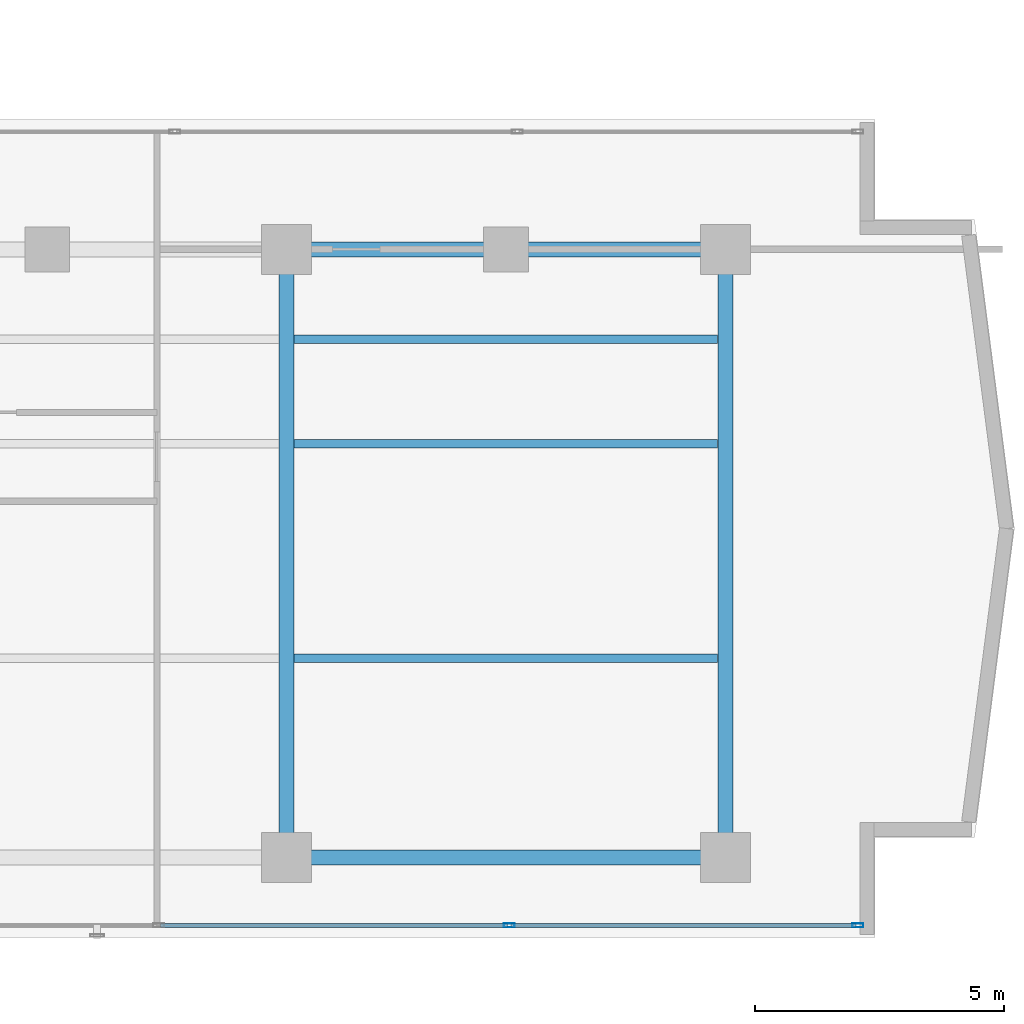
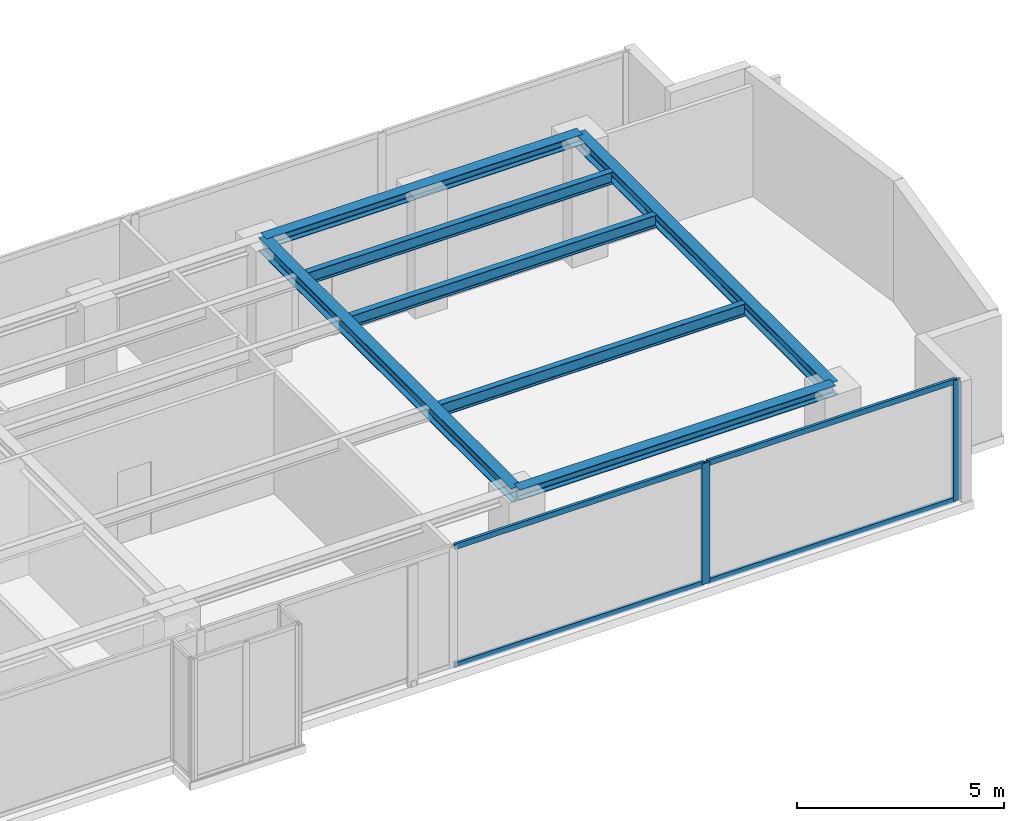
# One storey, part 11 of 23: 7 beams, 6 members, 1 element without a shape of its own.
"""IFC4 building model written with IfcOpenShell, lengths in metres."""

from ifc_helpers import new_model, si_unit, direction, frame, origin, origin_with_axes, origin_2d, place, context, subcontext, project, spatial, hollow_rectangle, i_section, extrude, source, transform, mapped, material, layer, layer_set, material_profile, profile_set, type_object, element, aggregate, save


model = new_model("IFC4")

# Units and contexts
model_context = context("Model", 3, precision=1e-05, world=origin(), true_north=direction((0.0, 1.0)))
body_context = subcontext(model_context, "Body", "Model", "MODEL_VIEW")
ifc_project = project(units=[si_unit("LENGTHUNIT", "METRE"), si_unit("AREAUNIT", "SQUARE_METRE"), si_unit("VOLUMEUNIT", "CUBIC_METRE"), si_unit("PLANEANGLEUNIT", "RADIAN"), si_unit("MASSUNIT", "GRAM", prefix="KILO")], contexts=[model_context])

# Site, building, storey
site_placement = place(None, origin())
site = spatial("IfcSite", under=ifc_project, at=site_placement, CompositionType="ELEMENT")
building_placement = place(site_placement, origin())
building = spatial("IfcBuilding", under=site, at=building_placement, Name="Kolvaren Waterfront Exchange", CompositionType="ELEMENT")
storey_placement = place(building_placement, frame((0.0, 0.0, 231.10009765625)))
storey = spatial("IfcBuildingStorey", under=building, at=storey_placement, Name="L59", CompositionType="ELEMENT", Elevation=231.10009765625)

# Beams
ifc_material_1 = material(Name="Steel S355", Category="steel")
ifc_material_profile_1 = material_profile(ifc_material_1, i_section(OverallWidth=0.300048828125, OverallDepth=0.300048828125, WebThickness=0.010986328125, FlangeThickness=0.01904296875, FilletRadius=0.027099609375, at=origin_2d()), Name="HEB300")
ifc_profile_set_1 = profile_set([ifc_material_profile_1], Name="Steel S355")
beam_type_1 = type_object("IfcBeamType", Name="STR-BM-HEB300", PredefinedType="SPANDREL", material=ifc_profile_set_1)
for number, where, z_axis, x_axis, name in (
    (1, (36.800048828125, 5.199951171875, 3.409912109375), (1.0, 0.0, 0.0), (0.0, 1.0, 0.0), "L59 east-arm spandrel S3"),
    (2, (36.800048828125, 17.39990234375, 3.409912109375), (1.0, 0.0, 0.0), (0.0, 1.0, 0.0), "L59 east-arm spandrel N3"),
):
    element("IfcBeam", number, at=place(storey_placement, frame(where, z_axis=z_axis, x_axis=x_axis)), inside=storey, type_object=beam_type_1, Name=name, PredefinedType="SPANDREL", context=body_context, shape_type="SweptSolid", body=[
        extrude(i_section(OverallWidth=0.300048828125, OverallDepth=0.300048828125, WebThickness=0.010986328125, FlangeThickness=0.01904296875, FilletRadius=0.027099609375, at=origin_2d()), origin(), (0.0, 0.0, 1.0), 8.800048828125),
    ])
ifc_material_profile_2 = material_profile(ifc_material_1, i_section(OverallWidth=0.300048828125, OverallDepth=0.39990234375, WebThickness=0.013427734375, FlangeThickness=0.02392578125, FilletRadius=0.027099609375, at=origin_2d()), Name="HEB400")
ifc_profile_set_2 = profile_set([ifc_material_profile_2], Name="Steel S355")
beam_type_2 = type_object("IfcBeamType", Name="STR-BM-HEB400", PredefinedType="BEAM", material=ifc_profile_set_2)
for number, where, z_axis, x_axis, name in (
    (3, (36.800048828125, 5.199951171875, 3.35986328125), (0.0, 1.0, 0.0), (-1.0, 0.0, 0.0), "L59 east-arm transverse girder X36"),
    (4, (45.60009765625, 5.199951171875, 3.35986328125), (0.0, 1.0, 0.0), (-1.0, 0.0, 0.0), "L59 east-arm transverse girder X45"),
):
    element("IfcBeam", number, at=place(storey_placement, frame(where, z_axis=z_axis, x_axis=x_axis)), inside=storey, type_object=beam_type_2, Name=name, PredefinedType="BEAM", context=body_context, shape_type="SweptSolid", body=[
        extrude(i_section(OverallWidth=0.300048828125, OverallDepth=0.39990234375, WebThickness=0.013427734375, FlangeThickness=0.02392578125, FilletRadius=0.027099609375, at=origin_2d()), origin(), (0.0, 0.0, 1.0), 12.199951171875),
    ])
ifc_material_profile_3 = material_profile(ifc_material_1, i_section(OverallWidth=0.169921875, OverallDepth=0.360107421875, WebThickness=0.008056640625, FlangeThickness=0.0126953125, FilletRadius=0.01806640625, at=origin_2d()), Name="IPE360")
ifc_profile_set_3 = profile_set([ifc_material_profile_3], Name="Steel S355")
beam_type_3 = type_object("IfcBeamType", Name="STR-BM-IPE360", PredefinedType="JOIST", material=ifc_profile_set_3)
for number, where, z_axis, x_axis, name in (
    (5, (36.951904296875, 13.5, 3.3798828125), (1.0, 0.0, 0.0), (0.0, 1.0, 0.0), "L59 east-arm composite joist 3A"),
    (6, (36.951904296875, 15.60009765625, 3.3798828125), (1.0, 0.0, 0.0), (0.0, 1.0, 0.0), "L59 east-arm composite joist 3C"),
    (7, (36.951904296875, 9.199951171875, 3.3798828125), (1.0, 0.0, 0.0), (0.0, 1.0, 0.0), "L59 east-arm composite joist 3B"),
):
    element("IfcBeam", number, at=place(storey_placement, frame(where, z_axis=z_axis, x_axis=x_axis)), inside=storey, type_object=beam_type_3, Name=name, PredefinedType="JOIST", context=body_context, shape_type="SweptSolid", body=[
        extrude(i_section(OverallWidth=0.169921875, OverallDepth=0.360107421875, WebThickness=0.008056640625, FlangeThickness=0.0126953125, FilletRadius=0.01806640625, at=origin_2d()), origin(), (0.0, 0.0, 1.0), 8.49609375),
    ])

# Curtain wall, members
ifc_material_2 = material(Name="Anodised bronze aluminium 6063-T6", Category="aluminium")
ifc_layer = layer(ifc_material_2, 0.219970703125, Name="Anodised bronze aluminium 6063-T6")
ifc_layer_set = layer_set([ifc_layer], Name="Anodised bronze aluminium 6063-T6")
curtain_wall_type = type_object("IfcCurtainWallType", Name="ARC-CW-SYS1", PredefinedType="USERDEFINED", material=ifc_layer_set)
curtain_wall_placement = place(storey_placement, origin())
curtain_wall = element("IfcCurtainWall", 8, at=curtain_wall_placement, inside=storey, type_object=curtain_wall_type, Name="L59 stick curtain wall CW1 (CW-L59-S)", ObjectType="STICK CURTAIN WALL", PredefinedType="USERDEFINED")
ifc_material_3 = material(Name="Anodised aluminium 6063-T6", Category="aluminium")
ifc_material_profile_4 = material_profile(ifc_material_3, hollow_rectangle(XDim=0.080078125, YDim=0.219970703125, WallThickness=0.0048828125, at=origin_2d()), Name="ALU-MUL-220x80x5")
ifc_profile_set_4 = profile_set([ifc_material_profile_4], Name="Anodised aluminium 6063-T6")
member_type_1 = type_object("IfcMemberType", Name="ARC-CWM-220", PredefinedType="MULLION", material=ifc_profile_set_4)
shared_shape_1 = source(origin_with_axes(), body_context, "Body", "SweptSolid", [
    extrude(hollow_rectangle(XDim=0.080078125, YDim=0.219970703125, WallThickness=0.0048828125, at=origin_2d()), origin(), (0.0, 0.0, 1.0), 3.559814453125),
])
member_1_placement = place(storey_placement, frame((41.2666015625, 3.840087890625, 0.0), z_axis=(0.0, 0.0, 1.0), x_axis=(0.0, 1.0, 0.0)))
member_1 = element("IfcMember", 9, at=member_1_placement, type_object=member_type_1, Name="CW1 mullion 6", PredefinedType="MULLION", context=body_context, shape_type="MappedRepresentation", body=[
    mapped(shared_shape_1, transform((0.0, 0.0, 0.0), x_axis=(1.0, 0.0, 0.0), y_axis=(0.0, 1.0, 0.0), z_axis=(0.0, 0.0, 1.0), scale=1.0)),
])
member_2_placement = place(storey_placement, frame((48.260009765625, 3.840087890625, 0.0), z_axis=(0.0, 0.0, 1.0), x_axis=(0.0, 1.0, 0.0)))
member_2 = element("IfcMember", 10, at=member_2_placement, type_object=member_type_1, Name="CW1 mullion 7", PredefinedType="MULLION", context=body_context, shape_type="MappedRepresentation", body=[
    mapped(shared_shape_1, transform((0.0, 0.0, 0.0), x_axis=(1.0, 0.0, 0.0), y_axis=(0.0, 1.0, 0.0), z_axis=(0.0, 0.0, 1.0), scale=1.0)),
])
ifc_material_profile_5 = material_profile(ifc_material_3, hollow_rectangle(XDim=0.074951171875, YDim=0.159912109375, WallThickness=0.00439453125, at=origin_2d()), Name="ALU-TRN-160x75x4.5")
ifc_profile_set_5 = profile_set([ifc_material_profile_5], Name="Anodised aluminium 6063-T6")
member_type_2 = type_object("IfcMemberType", Name="ARC-CWT-160", PredefinedType="USERDEFINED", material=ifc_profile_set_5)
shared_shape_2 = source(origin_with_axes(), body_context, "Body", "SweptSolid", [
    extrude(hollow_rectangle(XDim=0.074951171875, YDim=0.159912109375, WallThickness=0.00439453125, at=origin_2d()), origin(), (0.0, 0.0, 1.0), 6.913330078125),
])
member_3_placement = place(storey_placement, frame((41.306640625, 3.840087890625, 0.037353515625), z_axis=(1.0, 0.0, 0.0), x_axis=(0.0, 1.0, 0.0)))
member_3 = element("IfcMember", 11, at=member_3_placement, type_object=member_type_2, Name="CW1 transom 6.1", ObjectType="TRANSOM", PredefinedType="USERDEFINED", context=body_context, shape_type="MappedRepresentation", body=[
    mapped(shared_shape_2, transform((0.0, 0.0, 0.0), x_axis=(1.0, 0.0, 0.0), y_axis=(0.0, 1.0, 0.0), z_axis=(0.0, 0.0, 1.0), scale=1.0)),
])
member_4_placement = place(storey_placement, frame((41.306640625, 3.840087890625, 3.5224609375), z_axis=(1.0, 0.0, 0.0), x_axis=(0.0, 1.0, 0.0)))
member_4 = element("IfcMember", 12, at=member_4_placement, type_object=member_type_2, Name="CW1 transom 6.2", ObjectType="TRANSOM", PredefinedType="USERDEFINED", context=body_context, shape_type="MappedRepresentation", body=[
    mapped(shared_shape_2, transform((0.0, 0.0, 0.0), x_axis=(1.0, 0.0, 0.0), y_axis=(0.0, 1.0, 0.0), z_axis=(0.0, 0.0, 1.0), scale=1.0)),
])
shared_shape_3 = source(origin_with_axes(), body_context, "Body", "SweptSolid", [
    extrude(hollow_rectangle(XDim=0.074951171875, YDim=0.159912109375, WallThickness=0.00439453125, at=origin_2d()), origin(), (0.0, 0.0, 1.0), 6.953125),
])
member_5_placement = place(storey_placement, frame((34.2734375, 3.840087890625, 0.037353515625), z_axis=(1.0, 0.0, 0.0), x_axis=(0.0, 1.0, 0.0)))
member_5 = element("IfcMember", 13, at=member_5_placement, type_object=member_type_2, Name="CW1 transom 5.1", ObjectType="TRANSOM", PredefinedType="USERDEFINED", context=body_context, shape_type="MappedRepresentation", body=[
    mapped(shared_shape_3, transform((0.0, 0.0, 0.0), x_axis=(1.0, 0.0, 0.0), y_axis=(0.0, 1.0, 0.0), z_axis=(0.0, 0.0, 1.0), scale=1.0)),
])
member_6_placement = place(storey_placement, frame((34.2734375, 3.840087890625, 3.5224609375), z_axis=(1.0, 0.0, 0.0), x_axis=(0.0, 1.0, 0.0)))
member_6 = element("IfcMember", 14, at=member_6_placement, type_object=member_type_2, Name="CW1 transom 5.2", ObjectType="TRANSOM", PredefinedType="USERDEFINED", context=body_context, shape_type="MappedRepresentation", body=[
    mapped(shared_shape_3, transform((0.0, 0.0, 0.0), x_axis=(1.0, 0.0, 0.0), y_axis=(0.0, 1.0, 0.0), z_axis=(0.0, 0.0, 1.0), scale=1.0)),
])
aggregate(curtain_wall, [member_1, member_2, member_5, member_6, member_3, member_4])

save(model, "model.ifc")
